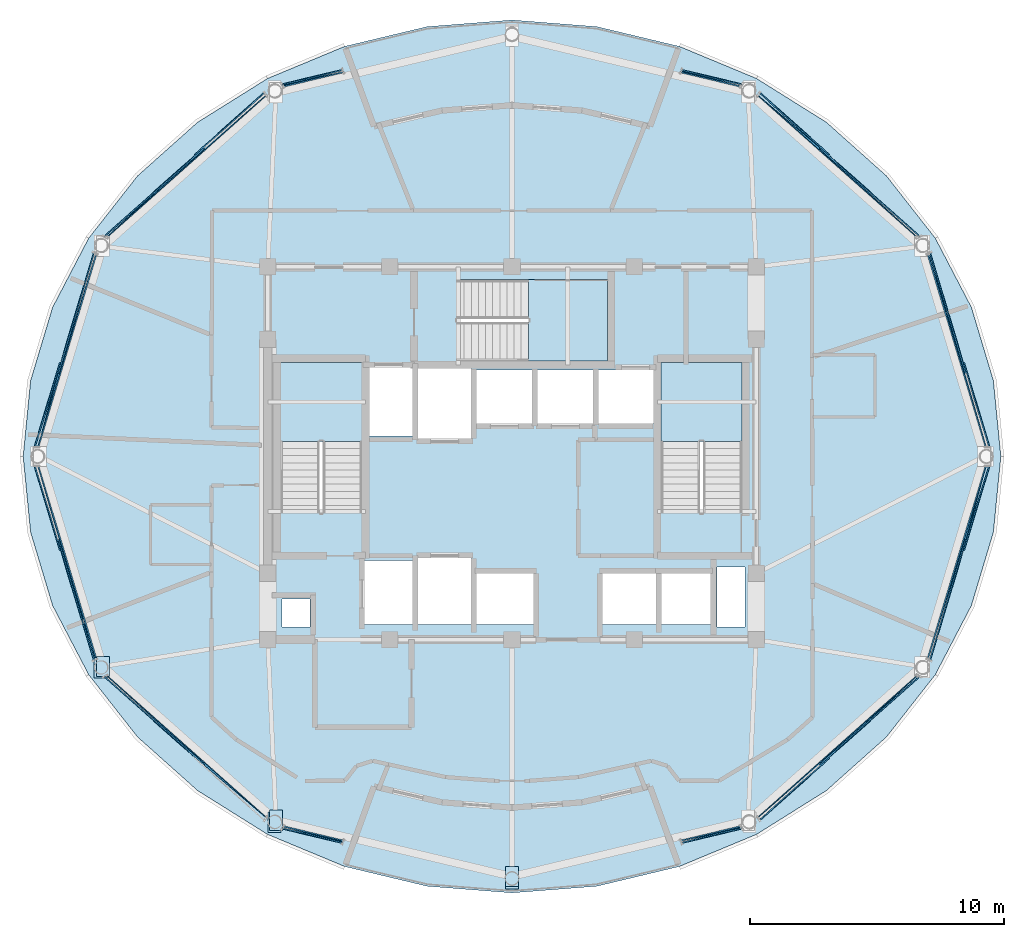
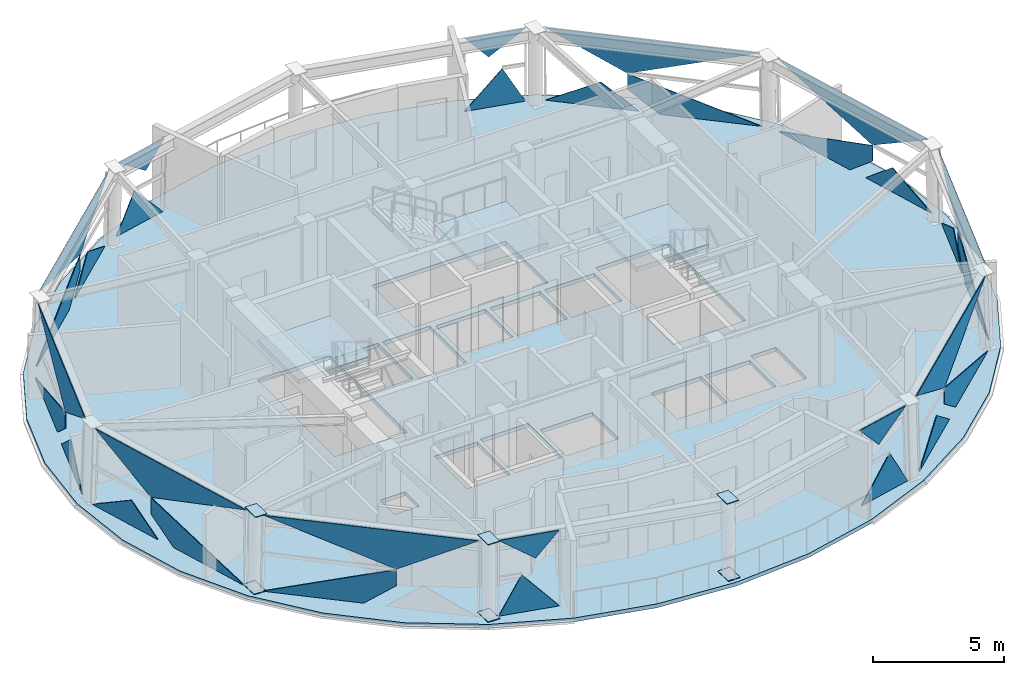
# One storey, part 5 of 13: 37 plates, 4 slabs, 15 elements without a shape of their own.
"""IFC4 building model written with IfcOpenShell, lengths in metres."""

from ifc_helpers import new_model, si_unit, direction, frame, origin, place, context, subcontext, project, spatial, polyline, outline, extrude, material, layer, layer_set, type_object, element, aggregate, save


model = new_model("IFC4")

# Units and contexts
model_context = context("Model", 3, precision=1e-05, world=origin(), true_north=direction((0.0, 1.0)))
body_context = subcontext(model_context, "Body", "Model", "MODEL_VIEW")
ifc_project = project(units=[si_unit("LENGTHUNIT", "METRE"), si_unit("AREAUNIT", "SQUARE_METRE"), si_unit("VOLUMEUNIT", "CUBIC_METRE"), si_unit("PLANEANGLEUNIT", "RADIAN"), si_unit("MASSUNIT", "GRAM", prefix="KILO")], contexts=[model_context])

# Site, building, storey
site_placement = place(None, origin())
site = spatial("IfcSite", under=ifc_project, at=site_placement, CompositionType="ELEMENT")
building_placement = place(site_placement, origin())
building = spatial("IfcBuilding", under=site, at=building_placement, Name="Vantalir Tower", CompositionType="ELEMENT")
storey_placement = place(building_placement, frame((0.0, 0.0, 286.35009765625)))
storey = spatial("IfcBuildingStorey", under=building, at=storey_placement, Name="L72", CompositionType="ELEMENT", Elevation=286.35009765625)

# Curtain wall, plates
ifc_material_1 = material(Name="Champagne-silver PVDF aluminium and double-silver Low-E glass", Category="aluminium")
ifc_layer_1 = layer(ifc_material_1, 0.219970703125)
ifc_layer_set_1 = layer_set([ifc_layer_1], Name="Champagne-silver PVDF aluminium and double-silver Low-E glass")
curtain_wall_type = type_object("IfcCurtainWallType", Name="CW-DIAMOND-Z4", PredefinedType="USERDEFINED", material=ifc_layer_set_1)
curtain_wall_1_placement = place(storey_placement, origin())
curtain_wall_1 = element("IfcCurtainWall", 1, at=curtain_wall_1_placement, inside=storey, type_object=curtain_wall_type, Name="L72 Quilted Pyramid-Diamond Curtain Wall S01", ObjectType="UNITISED CURTAIN WALL", PredefinedType="USERDEFINED")
ifc_material_2 = material(Name="Double-silver Low-E acoustic glass IGU", Category="glass")
ifc_layer_2 = layer(ifc_material_2, 0.031982421875)
ifc_layer_set_2 = layer_set([ifc_layer_2], Name="Double-silver Low-E acoustic glass IGU")
plate_type_1 = type_object("IfcPlateType", Name="CWP-IGU-32", PredefinedType="CURTAIN_PANEL", material=ifc_layer_set_2)
plate_1_placement = place(storey_placement, frame((49.017333984375, 29.447021484375, 0.047119140625), z_axis=(0.957506813066, 0.288011661263, 0.015165286292), x_axis=(-0.288043831825, 0.957617223443, -6.5672592e-05)))
plate_1 = element("IfcPlate", 2, at=plate_1_placement, type_object=plate_type_1, Name="CW-L72-S01 Pyramid Diamond Facet 1L", PredefinedType="CURTAIN_PANEL", context=body_context, shape_type="SweptSolid", body=[
    extrude(outline(polyline([(0.0, 0.0), (3.7209316073083345, 3.2526065174565133e-18), (-1.2075730373569022, 1.724728417289072), (-1.2075795089867192, 0.9870945369741257), (0.0, 0.0)])), origin(), (0.0, 0.0, -1.0), 0.031982421875),
])
plate_2_placement = place(storey_placement, frame((50.27294921875, 25.39794921875, 0.0478515625), z_axis=(0.957496894251, 0.28803905465, 0.015270903563), x_axis=(-0.288071605716, 0.957608868447, -7.1076143e-05)))
plate_2 = element("IfcPlate", 3, at=plate_2_placement, type_object=plate_type_1, Name="CW-L72-S01 Pyramid Diamond Facet 1L Infill Light", PredefinedType="CURTAIN_PANEL", context=body_context, shape_type="SweptSolid", body=[
    extrude(outline(polyline([(0.0, 0.0), (3.434916643952595, 1.9786689647860456e-18), (2.0254212264924867, 1.1523779468026756), (0.0, 0.0)])), origin(), (0.0, 0.0, -1.0), 0.031982421875),
])
plate_3_placement = place(storey_placement, frame((47.854736328125, 32.96337890625, 3.52294921875), z_axis=(0.956746591079, 0.287792057789, 0.042563974591), x_axis=(0.288055625329, -0.957613676232, -6.1721797e-05)))
plate_3 = element("IfcPlate", 4, at=plate_3_placement, type_object=plate_type_1, Name="CW-L72-S01 Pyramid Diamond Facet 2U", PredefinedType="CURTAIN_PANEL", context=body_context, shape_type="SweptSolid", body=[
    extrude(outline(polyline([(0.0, 0.0), (7.911001880797422, 4.174178364069192e-18), (4.909793483682826, 1.7261147805821255), (0.0, 0.0)])), origin(), (0.0, 0.0, -1.0), 0.031982421875),
])
aggregate(curtain_wall_1, [plate_1, plate_2, plate_3])

curtain_wall_2_placement = place(storey_placement, origin())
curtain_wall_2 = element("IfcCurtainWall", 5, at=curtain_wall_2_placement, inside=storey, type_object=curtain_wall_type, Name="L72 Quilted Pyramid-Diamond Curtain Wall S02", ObjectType="UNITISED CURTAIN WALL", PredefinedType="USERDEFINED")
plate_4_placement = place(storey_placement, frame((47.526611328125, 33.667236328125, 0.046875), z_axis=(0.665128537201, 0.746602814714, 0.013721008055), x_axis=(-0.746673105805, 0.665191155284, 1.29257e-07)))
plate_4 = element("IfcPlate", 6, at=plate_4_placement, type_object=plate_type_1, Name="CW-L72-S02 Pyramid Diamond Facet 1L", PredefinedType="CURTAIN_PANEL", context=body_context, shape_type="SweptSolid", body=[
    extrude(outline(polyline([(0.0, 0.0), (3.9514141751553726, -3.469446951953614e-18), (5.225061549370908, 0.9847111634579583), (5.225131450051028, 1.7252599032014113), (0.0, 0.0)])), origin(), (0.0, 0.0, -1.0), 0.031982421875),
])
plate_5_placement = place(storey_placement, frame((43.978515625, 36.876708984375, 0.04736328125), z_axis=(0.665081109938, 0.746642479364, 0.013860923926), x_axis=(-0.746714829443, 0.665144314425, 6.6915927e-05)))
plate_5 = element("IfcPlate", 7, at=plate_5_placement, type_object=plate_type_1, Name="CW-L72-S02 Pyramid Diamond Facet 1L Infill Light", PredefinedType="CURTAIN_PANEL", context=body_context, shape_type="SweptSolid", body=[
    extrude(outline(polyline([(0.0, 0.0), (3.6484680991349756, 2.1141942363467336e-18), (1.4972928284039506, 1.1572375449479382), (0.0, 0.0)])), origin(), (0.0, 0.0, -1.0), 0.031982421875),
])
plate_6_placement = place(storey_placement, frame((41.17724609375, 39.19482421875, 3.522705078125), z_axis=(0.664548073734, 0.746101309793, 0.041336342615), x_axis=(0.746738755083, -0.6651174564, 2.9129657e-05)))
plate_6 = element("IfcPlate", 8, at=plate_6_placement, type_object=plate_type_1, Name="CW-L72-S02 Pyramid Diamond Facet 2U", PredefinedType="CURTAIN_PANEL", context=body_context, shape_type="SweptSolid", body=[
    extrude(outline(polyline([(0.0, 0.0), (8.381170629314692, -2.0599841277224584e-18), (3.192406341226732, 1.7264221035354848), (0.0, 0.0)])), origin(), (0.0, 0.0, -1.0), 0.031982421875),
])
aggregate(curtain_wall_2, [plate_4, plate_5, plate_6])

curtain_wall_3_placement = place(storey_placement, origin())
curtain_wall_3 = element("IfcCurtainWall", 9, at=curtain_wall_3_placement, inside=storey, type_object=curtain_wall_type, Name="L72 Quilted Pyramid-Diamond Curtain Wall S03", ObjectType="UNITISED CURTAIN WALL", PredefinedType="USERDEFINED")
plate_7_placement = place(storey_placement, frame((40.53564453125, 39.6396484375, 0.0517578125), z_axis=(0.232045975765, 0.972616062509, 0.013140018265), x_axis=(-0.972699073436, 0.232069862814, -0.000302174301)))
plate_7 = element("IfcPlate", 10, at=plate_7_placement, type_object=plate_type_1, Name="CW-L72-S03 Pyramid Diamond Facet 1L", PredefinedType="CURTAIN_PANEL", context=body_context, shape_type="SweptSolid", body=[
    extrude(outline(polyline([(0.0, 0.0), (2.423839068023054, -3.2526065174565133e-19), (0.9262804974369461, 1.7186900763725796), (0.0, 0.0)])), origin(), (0.0, 0.0, -1.0), 0.031982421875),
])
plate_8_placement = place(storey_placement, frame((40.482666015625, 39.557861328125, 3.51806640625), z_axis=(0.232063263417, 0.971894823141, 0.039586544723), x_axis=(-0.972660011136, 0.232233523313, 0.000305591492)))
plate_8 = element("IfcPlate", 11, at=plate_8_placement, type_object=plate_type_1, Name="CW-L72-S03 Pyramid Diamond Facet 2U", PredefinedType="CURTAIN_PANEL", context=body_context, shape_type="SweptSolid", body=[
    extrude(outline(polyline([(0.0, 0.0), (2.40559686641698, -5.421010862427522e-19), (1.452436408853657, -1.08479031439366), (0.00816103323792154, -0.015881375937154826), (0.0, 0.0)])), origin(), (0.0, 0.0, -1.0), 0.031982421875),
])
aggregate(curtain_wall_3, [plate_7, plate_8])

curtain_wall_4_placement = place(storey_placement, origin())
curtain_wall_4 = element("IfcCurtainWall", 12, at=curtain_wall_4_placement, inside=storey, type_object=curtain_wall_type, Name="L72 Quilted Pyramid-Diamond Curtain Wall S04", ObjectType="UNITISED CURTAIN WALL", PredefinedType="USERDEFINED")
plate_9_placement = place(storey_placement, frame((24.82275390625, 40.2021484375, 0.051025390625), z_axis=(-0.232068890604, 0.972611314133, 0.013086696852), x_axis=(-0.972693647954, -0.232092601997, 0.000302203909)))
plate_9 = element("IfcPlate", 13, at=plate_9_placement, type_object=plate_type_1, Name="CW-L72-S04 Pyramid Diamond Facet 1L", PredefinedType="CURTAIN_PANEL", context=body_context, shape_type="SweptSolid", body=[
    extrude(outline(polyline([(0.0, 0.0), (2.423601593325586, 5.421010862427522e-19), (1.4977966230432982, 1.7186887581438437), (0.0, 0.0)])), origin(), (0.0, 0.0, -1.0), 0.031982421875),
])
plate_10_placement = place(storey_placement, frame((24.857177734375, 40.116455078125, 3.518798828125), z_axis=(-0.232063263417, 0.971894823141, 0.039586544723), x_axis=(-0.972660011136, -0.232233523313, -0.000305591492)))
plate_10 = element("IfcPlate", 14, at=plate_10_placement, type_object=plate_type_1, Name="CW-L72-S04 Pyramid Diamond Facet 2U", PredefinedType="CURTAIN_PANEL", context=body_context, shape_type="SweptSolid", body=[
    extrude(outline(polyline([(0.0, 0.0), (2.40559686641698, 5.421010862427522e-19), (2.3974358331790584, -0.015881375937154826), (0.9531604575633227, -1.08479031439366), (0.0, 0.0)])), origin(), (0.0, 0.0, -1.0), 0.031982421875),
])
aggregate(curtain_wall_4, [plate_9, plate_10])

curtain_wall_5_placement = place(storey_placement, origin())
curtain_wall_5 = element("IfcCurtainWall", 15, at=curtain_wall_5_placement, inside=storey, type_object=curtain_wall_type, Name="L72 Quilted Pyramid-Diamond Curtain Wall S05", ObjectType="UNITISED CURTAIN WALL", PredefinedType="USERDEFINED")
plate_11_placement = place(storey_placement, frame((18.423828125, 36.29541015625, 0.046875), z_axis=(-0.665087736577, 0.746638376522, 0.013763624472), x_axis=(-0.746709107353, -0.665150741559, -1.9707e-08)))
plate_11 = element("IfcPlate", 16, at=plate_11_placement, type_object=plate_type_1, Name="CW-L72-S05 Pyramid Diamond Facet 1L", PredefinedType="CURTAIN_PANEL", context=body_context, shape_type="SweptSolid", body=[
    extrude(outline(polyline([(0.0, 0.0), (3.9512517810645473, 3.469446951953614e-18), (-1.274245359653783, 1.725261053326516), (-1.27417498812312, 0.9847123127137346), (0.0, 0.0)])), origin(), (0.0, 0.0, -1.0), 0.031982421875),
])
plate_12_placement = place(storey_placement, frame((21.746826171875, 39.303466796875, 0.047607421875), z_axis=(-0.665057863469, 0.746666889163, 0.013659973122), x_axis=(-0.746737167224, -0.665119236386, -6.6899943e-05)))
plate_12 = element("IfcPlate", 17, at=plate_12_placement, type_object=plate_type_1, Name="CW-L72-S05 Pyramid Diamond Facet 1L Infill Light", PredefinedType="CURTAIN_PANEL", context=body_context, shape_type="SweptSolid", body=[
    extrude(outline(polyline([(0.0, 0.0), (3.6493397889657415, 0.0), (2.151884058575181, 1.1572343574181678), (0.0, 0.0)])), origin(), (0.0, 0.0, -1.0), 0.031982421875),
])
plate_13_placement = place(storey_placement, frame((15.564208984375, 33.620361328125, 3.52294921875), z_axis=(-0.664550656598, 0.746104205507, 0.041242445847), x_axis=(0.746738755083, 0.6651174564, -2.9129657e-05)))
plate_13 = element("IfcPlate", 18, at=plate_13_placement, type_object=plate_type_1, Name="CW-L72-S05 Pyramid Diamond Facet 2U", PredefinedType="CURTAIN_PANEL", context=body_context, shape_type="SweptSolid", body=[
    extrude(outline(polyline([(0.0, 0.0), (8.381170629314692, -2.4123498337802474e-18), (5.188946597354337, 1.7264153935670654), (0.0, 0.0)])), origin(), (0.0, 0.0, -1.0), 0.031982421875),
])
aggregate(curtain_wall_5, [plate_11, plate_12, plate_13])

curtain_wall_6_placement = place(storey_placement, origin())
curtain_wall_6 = element("IfcCurtainWall", 19, at=curtain_wall_6_placement, inside=storey, type_object=curtain_wall_type, Name="L72 Quilted Pyramid-Diamond Curtain Wall S06", ObjectType="UNITISED CURTAIN WALL", PredefinedType="USERDEFINED")
plate_14_placement = place(storey_placement, frame((15.054443359375, 33.01025390625, 0.046875), z_axis=(-0.957506813066, 0.288011661263, 0.015165286292), x_axis=(-0.288043831825, -0.957617223443, 6.5672592e-05)))
plate_14 = element("IfcPlate", 20, at=plate_14_placement, type_object=plate_type_1, Name="CW-L72-S06 Pyramid Diamond Facet 1L", PredefinedType="CURTAIN_PANEL", context=body_context, shape_type="SweptSolid", body=[
    extrude(outline(polyline([(0.0, 0.0), (3.7209316073083345, -3.2526065174565133e-18), (4.928511116295054, 0.9870945369741257), (4.928504644665237, 1.724728417289072), (0.0, 0.0)])), origin(), (0.0, 0.0, -1.0), 0.031982421875),
])
plate_15_placement = place(storey_placement, frame((13.716552734375, 28.687255859375, 0.047607421875), z_axis=(-0.957496894251, 0.28803905465, 0.015270903563), x_axis=(-0.288071605716, -0.957608868447, 7.1076143e-05)))
plate_15 = element("IfcPlate", 21, at=plate_15_placement, type_object=plate_type_1, Name="CW-L72-S06 Pyramid Diamond Facet 1L Infill Light", PredefinedType="CURTAIN_PANEL", context=body_context, shape_type="SweptSolid", body=[
    extrude(outline(polyline([(0.0, 0.0), (3.434916643952595, -1.9786689647860456e-18), (1.4094954174601082, 1.1523779468026756), (0.0, 0.0)])), origin(), (0.0, 0.0, -1.0), 0.031982421875),
])
plate_16_placement = place(storey_placement, frame((12.866455078125, 25.3876953125, 3.5224609375), z_axis=(-0.956746591079, 0.287792057789, 0.042563974591), x_axis=(0.288055625329, 0.957613676232, 6.1721797e-05)))
plate_16 = element("IfcPlate", 22, at=plate_16_placement, type_object=plate_type_1, Name="CW-L72-S06 Pyramid Diamond Facet 2U", PredefinedType="CURTAIN_PANEL", context=body_context, shape_type="SweptSolid", body=[
    extrude(outline(polyline([(0.0, 0.0), (7.911001880797422, -4.174178364069192e-18), (3.0012083971145964, 1.7261147805821255), (0.0, 0.0)])), origin(), (0.0, 0.0, -1.0), 0.031982421875),
])
aggregate(curtain_wall_6, [plate_14, plate_15, plate_16])

curtain_wall_7_placement = place(storey_placement, origin())
curtain_wall_7 = element("IfcCurtainWall", 23, at=curtain_wall_7_placement, inside=storey, type_object=curtain_wall_type, Name="L72 Quilted Pyramid-Diamond Curtain Wall S07", ObjectType="UNITISED CURTAIN WALL", PredefinedType="USERDEFINED")
plate_17_placement = place(storey_placement, frame((13.982666015625, 20.552978515625, 0.047119140625), z_axis=(-0.957506813066, -0.288011661263, 0.015165286292), x_axis=(0.288043831825, -0.957617223443, -6.5672592e-05)))
plate_17 = element("IfcPlate", 24, at=plate_17_placement, type_object=plate_type_1, Name="CW-L72-S07 Pyramid Diamond Facet 1L", PredefinedType="CURTAIN_PANEL", context=body_context, shape_type="SweptSolid", body=[
    extrude(outline(polyline([(0.0, 0.0), (3.7209316073083345, 3.2526065174565133e-18), (-1.2075730373569022, 1.724728417289072), (-1.2075795089867192, 0.9870945369741257), (0.0, 0.0)])), origin(), (0.0, 0.0, -1.0), 0.031982421875),
])
plate_18_placement = place(storey_placement, frame((12.72705078125, 24.60205078125, 0.0478515625), z_axis=(-0.957496894251, -0.28803905465, 0.015270903563), x_axis=(0.288071605716, -0.957608868447, -7.1076143e-05)))
plate_18 = element("IfcPlate", 25, at=plate_18_placement, type_object=plate_type_1, Name="CW-L72-S07 Pyramid Diamond Facet 1L Infill Light", PredefinedType="CURTAIN_PANEL", context=body_context, shape_type="SweptSolid", body=[
    extrude(outline(polyline([(0.0, 0.0), (3.434916643952595, 1.9786689647860456e-18), (2.0254212264924867, 1.1523779468026756), (0.0, 0.0)])), origin(), (0.0, 0.0, -1.0), 0.031982421875),
])
plate_19_placement = place(storey_placement, frame((15.145263671875, 17.03662109375, 3.52294921875), z_axis=(-0.956746591079, -0.287792057789, 0.042563974591), x_axis=(-0.288055625329, 0.957613676232, -6.1721797e-05)))
plate_19 = element("IfcPlate", 26, at=plate_19_placement, type_object=plate_type_1, Name="CW-L72-S07 Pyramid Diamond Facet 2U", PredefinedType="CURTAIN_PANEL", context=body_context, shape_type="SweptSolid", body=[
    extrude(outline(polyline([(0.0, 0.0), (7.911001880797422, 4.174178364069192e-18), (4.909793483682826, 1.7261147805821255), (0.0, 0.0)])), origin(), (0.0, 0.0, -1.0), 0.031982421875),
])
aggregate(curtain_wall_7, [plate_17, plate_18, plate_19])

curtain_wall_8_placement = place(storey_placement, origin())
curtain_wall_8 = element("IfcCurtainWall", 27, at=curtain_wall_8_placement, inside=storey, type_object=curtain_wall_type, Name="L72 Quilted Pyramid-Diamond Curtain Wall S08", ObjectType="UNITISED CURTAIN WALL", PredefinedType="USERDEFINED")
plate_20_placement = place(storey_placement, frame((15.473388671875, 16.332763671875, 0.046875), z_axis=(-0.665128537201, -0.746602814714, 0.013721008055), x_axis=(0.746673105805, -0.665191155284, 1.29257e-07)))
plate_20 = element("IfcPlate", 28, at=plate_20_placement, type_object=plate_type_1, Name="CW-L72-S08 Pyramid Diamond Facet 1L", PredefinedType="CURTAIN_PANEL", context=body_context, shape_type="SweptSolid", body=[
    extrude(outline(polyline([(0.0, 0.0), (3.9514141751553726, -3.469446951953614e-18), (5.225061549370908, 0.9847111634579583), (5.225131450051028, 1.7252599032014113), (0.0, 0.0)])), origin(), (0.0, 0.0, -1.0), 0.031982421875),
])
plate_21_placement = place(storey_placement, frame((21.82275390625, 10.80517578125, 3.522705078125), z_axis=(-0.664548073734, -0.746101309793, 0.041336342615), x_axis=(-0.746738755083, 0.6651174564, 2.9129657e-05)))
plate_21 = element("IfcPlate", 29, at=plate_21_placement, type_object=plate_type_1, Name="CW-L72-S08 Pyramid Diamond Facet 2U", PredefinedType="CURTAIN_PANEL", context=body_context, shape_type="SweptSolid", body=[
    extrude(outline(polyline([(0.0, 0.0), (8.381170629314692, -2.0599841277224584e-18), (3.192406341226732, 1.7264221035354848), (0.0, 0.0)])), origin(), (0.0, 0.0, -1.0), 0.031982421875),
])
aggregate(curtain_wall_8, [plate_20, plate_21])

curtain_wall_9_placement = place(storey_placement, origin())
curtain_wall_9 = element("IfcCurtainWall", 30, at=curtain_wall_9_placement, inside=storey, type_object=curtain_wall_type, Name="L72 Quilted Pyramid-Diamond Curtain Wall S09", ObjectType="UNITISED CURTAIN WALL", PredefinedType="USERDEFINED")
plate_22_placement = place(storey_placement, frame((22.46435546875, 10.3603515625, 0.0517578125), z_axis=(-0.232045975765, -0.972616062509, 0.013140018265), x_axis=(0.972699073436, -0.232069862814, -0.000302174301)))
plate_22 = element("IfcPlate", 31, at=plate_22_placement, type_object=plate_type_1, Name="CW-L72-S09 Pyramid Diamond Facet 1L", PredefinedType="CURTAIN_PANEL", context=body_context, shape_type="SweptSolid", body=[
    extrude(outline(polyline([(0.0, 0.0), (2.423839068023054, -3.2526065174565133e-19), (0.9262804974369461, 1.7186900763725796), (0.0, 0.0)])), origin(), (0.0, 0.0, -1.0), 0.031982421875),
])
plate_23_placement = place(storey_placement, frame((22.517333984375, 10.442138671875, 3.51806640625), z_axis=(-0.232063263417, -0.971894823141, 0.039586544723), x_axis=(0.972660011136, -0.232233523313, 0.000305591492)))
plate_23 = element("IfcPlate", 32, at=plate_23_placement, type_object=plate_type_1, Name="CW-L72-S09 Pyramid Diamond Facet 2U", PredefinedType="CURTAIN_PANEL", context=body_context, shape_type="SweptSolid", body=[
    extrude(outline(polyline([(0.0, 0.0), (2.40559686641698, -5.421010862427522e-19), (1.452436408853657, -1.08479031439366), (0.00816103323792154, -0.015881375937154826), (0.0, 0.0)])), origin(), (0.0, 0.0, -1.0), 0.031982421875),
])
aggregate(curtain_wall_9, [plate_22, plate_23])

curtain_wall_10_placement = place(storey_placement, origin())
curtain_wall_10 = element("IfcCurtainWall", 33, at=curtain_wall_10_placement, inside=storey, type_object=curtain_wall_type, Name="L72 Quilted Pyramid-Diamond Curtain Wall S10", ObjectType="UNITISED CURTAIN WALL", PredefinedType="USERDEFINED")
plate_24_placement = place(storey_placement, frame((38.177978515625, 9.7978515625, 0.051025390625), z_axis=(0.232045975765, -0.972616062509, 0.013140018265), x_axis=(0.972699073436, 0.232069862814, 0.000302174301)))
plate_24 = element("IfcPlate", 34, at=plate_24_placement, type_object=plate_type_1, Name="CW-L72-S10 Pyramid Diamond Facet 1L", PredefinedType="CURTAIN_PANEL", context=body_context, shape_type="SweptSolid", body=[
    extrude(outline(polyline([(0.0, 0.0), (2.423839068023054, 3.2526065174565133e-19), (1.4975585705861076, 1.7186900763725794), (0.0, 0.0)])), origin(), (0.0, 0.0, -1.0), 0.031982421875),
])
plate_25_placement = place(storey_placement, frame((38.142822265625, 9.883544921875, 3.518798828125), z_axis=(0.232063263417, -0.971894823141, 0.039586544723), x_axis=(0.972660011136, 0.232233523313, -0.000305591492)))
plate_25 = element("IfcPlate", 35, at=plate_25_placement, type_object=plate_type_1, Name="CW-L72-S10 Pyramid Diamond Facet 2U", PredefinedType="CURTAIN_PANEL", context=body_context, shape_type="SweptSolid", body=[
    extrude(outline(polyline([(0.0, 0.0), (2.40559686641698, 5.421010862427522e-19), (2.3974358331790584, -0.015881375937154826), (0.9531604575633227, -1.08479031439366), (0.0, 0.0)])), origin(), (0.0, 0.0, -1.0), 0.031982421875),
])
aggregate(curtain_wall_10, [plate_24, plate_25])

curtain_wall_11_placement = place(storey_placement, origin())
curtain_wall_11 = element("IfcCurtainWall", 36, at=curtain_wall_11_placement, inside=storey, type_object=curtain_wall_type, Name="L72 Quilted Pyramid-Diamond Curtain Wall S11", ObjectType="UNITISED CURTAIN WALL", PredefinedType="USERDEFINED")
plate_26_placement = place(storey_placement, frame((44.576171875, 13.704345703125, 0.046875), z_axis=(0.665128537201, -0.746602814714, 0.013721008055), x_axis=(0.746673105805, 0.665191155284, -1.29257e-07)))
plate_26 = element("IfcPlate", 37, at=plate_26_placement, type_object=plate_type_1, Name="CW-L72-S11 Pyramid Diamond Facet 1L", PredefinedType="CURTAIN_PANEL", context=body_context, shape_type="SweptSolid", body=[
    extrude(outline(polyline([(0.0, 0.0), (3.9514141751553726, 3.469446951953614e-18), (-1.2737172748956551, 1.7252599032014113), (-1.2736473742155365, 0.9847111634579583), (0.0, 0.0)])), origin(), (0.0, 0.0, -1.0), 0.031982421875),
])
plate_27_placement = place(storey_placement, frame((41.254150390625, 10.696533203125, 0.047607421875), z_axis=(0.665081109938, -0.746642479364, 0.013860923926), x_axis=(0.746714829443, 0.665144314425, -6.6915927e-05)))
plate_27 = element("IfcPlate", 38, at=plate_27_placement, type_object=plate_type_1, Name="CW-L72-S11 Pyramid Diamond Facet 1L Infill Light", PredefinedType="CURTAIN_PANEL", context=body_context, shape_type="SweptSolid", body=[
    extrude(outline(polyline([(0.0, 0.0), (3.6484680991349756, -2.1141942363467336e-18), (2.1511752707310245, 1.157237544947938), (0.0, 0.0)])), origin(), (0.0, 0.0, -1.0), 0.031982421875),
])
plate_28_placement = place(storey_placement, frame((47.435791015625, 16.379638671875, 3.52294921875), z_axis=(0.664548073734, -0.746101309793, 0.041336342615), x_axis=(-0.746738755083, -0.6651174564, -2.9129657e-05)))
plate_28 = element("IfcPlate", 39, at=plate_28_placement, type_object=plate_type_1, Name="CW-L72-S11 Pyramid Diamond Facet 2U", PredefinedType="CURTAIN_PANEL", context=body_context, shape_type="SweptSolid", body=[
    extrude(outline(polyline([(0.0, 0.0), (8.381170629314692, 2.0599841277224584e-18), (5.1887642880879605, 1.7264221035354848), (0.0, 0.0)])), origin(), (0.0, 0.0, -1.0), 0.031982421875),
])
aggregate(curtain_wall_11, [plate_26, plate_27, plate_28])

curtain_wall_12_placement = place(storey_placement, origin())
curtain_wall_12 = element("IfcCurtainWall", 40, at=curtain_wall_12_placement, inside=storey, type_object=curtain_wall_type, Name="L72 Quilted Pyramid-Diamond Curtain Wall S12", ObjectType="UNITISED CURTAIN WALL", PredefinedType="USERDEFINED")
plate_29_placement = place(storey_placement, frame((47.945556640625, 16.98974609375, 0.046875), z_axis=(0.957506813066, -0.288011661263, 0.015165286292), x_axis=(0.288043831825, 0.957617223443, 6.5672592e-05)))
plate_29 = element("IfcPlate", 41, at=plate_29_placement, type_object=plate_type_1, Name="CW-L72-S12 Pyramid Diamond Facet 1L", PredefinedType="CURTAIN_PANEL", context=body_context, shape_type="SweptSolid", body=[
    extrude(outline(polyline([(0.0, 0.0), (3.7209316073083345, -3.2526065174565133e-18), (4.928511116295054, 0.9870945369741257), (4.928504644665237, 1.724728417289072), (0.0, 0.0)])), origin(), (0.0, 0.0, -1.0), 0.031982421875),
])
plate_30_placement = place(storey_placement, frame((49.283447265625, 21.312744140625, 0.047607421875), z_axis=(0.957496894251, -0.28803905465, 0.015270903563), x_axis=(0.288071605716, 0.957608868447, 7.1076143e-05)))
plate_30 = element("IfcPlate", 42, at=plate_30_placement, type_object=plate_type_1, Name="CW-L72-S12 Pyramid Diamond Facet 1L Infill Light", PredefinedType="CURTAIN_PANEL", context=body_context, shape_type="SweptSolid", body=[
    extrude(outline(polyline([(0.0, 0.0), (3.434916643952595, -1.9786689647860456e-18), (1.4094954174601082, 1.1523779468026756), (0.0, 0.0)])), origin(), (0.0, 0.0, -1.0), 0.031982421875),
])
plate_31_placement = place(storey_placement, frame((50.133544921875, 24.6123046875, 3.5224609375), z_axis=(0.956746591079, -0.287792057789, 0.042563974591), x_axis=(-0.288055625329, -0.957613676232, 6.1721797e-05)))
plate_31 = element("IfcPlate", 43, at=plate_31_placement, type_object=plate_type_1, Name="CW-L72-S12 Pyramid Diamond Facet 2U", PredefinedType="CURTAIN_PANEL", context=body_context, shape_type="SweptSolid", body=[
    extrude(outline(polyline([(0.0, 0.0), (7.911001880797422, -4.174178364069192e-18), (3.0012083971145964, 1.7261147805821255), (0.0, 0.0)])), origin(), (0.0, 0.0, -1.0), 0.031982421875),
])
aggregate(curtain_wall_12, [plate_29, plate_30, plate_31])

# Plates
ifc_material_3 = material(Name="Steel S460", Category="steel")
ifc_layer_3 = layer(ifc_material_3, 0.031982421875)
ifc_layer_set_3 = layer_set([ifc_layer_3], Name="Steel S460")
plate_type_2 = type_object("IfcPlateType", Name="PLT-KN-Z3", PredefinedType="USERDEFINED", material=ifc_layer_set_3)
for number, where, z_axis, x_axis, name in (
    (44, (15.167724609375, 17.144287109375, 3.59521484375), (0.02535676287, 0.013118410706, 0.999592387865), (-5.0765e-08, -0.999913894566, 0.013122631371), "L72 Ring Column Top Cap RC08"),
    (45, (15.077392578125, 17.09765625, 0.05419921875), (0.02535676287, 0.013118410706, 0.999592387865), (-5.0765e-08, -0.999913894566, 0.013122631371), "L72 Ring Column Base Cap RC08"),
):
    element("IfcPlate", number, at=place(storey_placement, frame(where, z_axis=z_axis, x_axis=x_axis)), inside=storey, type_object=plate_type_2, Name=name, ObjectType="FLANGE_PLATE", PredefinedType="USERDEFINED", context=body_context, shape_type="SweptSolid", body=[
        extrude(outline(polyline([(0.0, 0.0), (0.7998735819694247, -5.421010862427522e-20), (0.7999446717453117, 0.5199426106714667), (-0.00017302982727854179, 0.5199425294219071), (0.0, 0.0)])), origin(), (0.0, 0.0, -1.0), 0.031982421875),
    ])
plate_32_placement = place(storey_placement, frame((21.96044921875, 11.1005859375, 3.588623046875), z_axis=(0.014800911728, 0.022732779207, 0.999632009172), x_axis=(-2.257569e-06, -0.99974151959, 0.022735303026)))
element("IfcPlate", 46, at=plate_32_placement, inside=storey, type_object=plate_type_2, Name="L72 Ring Column Top Cap RC09", ObjectType="FLANGE_PLATE", PredefinedType="USERDEFINED", context=body_context, shape_type="SweptSolid", body=[
    extrude(outline(polyline([(0.0, 0.0), (0.8000142494878688, 5.421010862427522e-20), (0.8000795340238042, 0.5198341392290423), (7.083514702574726e-05, 0.5198305266717519), (0.0, 0.0)])), origin(), (0.0, 0.0, -1.0), 0.031982421875),
])
plate_33_placement = place(storey_placement, frame((21.90771484375, 11.020263671875, 0.047607421875), z_axis=(0.014793964464, 0.022732781545, 0.999632111959), x_axis=(-2.256509e-06, -0.99974151959, 0.022735302995)))
element("IfcPlate", 47, at=plate_33_placement, inside=storey, type_object=plate_type_2, Name="L72 Ring Column Base Cap RC09", ObjectType="FLANGE_PLATE", PredefinedType="USERDEFINED", context=body_context, shape_type="SweptSolid", body=[
    extrude(outline(polyline([(0.0, 0.0), (0.8000142494878669, 0.0), (0.8000795340238062, 0.52007825227565), (7.083514702191981e-05, 0.5200746414140246), (0.0, 0.0)])), origin(), (0.0, 0.0, -1.0), 0.031982421875),
])
for number, where, z_axis, x_axis, name in (
    (48, (31.239990234375, 8.888427734375, 3.583251953125), (0.0, 0.026555517126, 0.999647340071), (0.0, -0.999647340071, 0.026555517126), "L72 Ring Column Top Cap RC10"),
    (49, (31.239990234375, 8.795166015625, 0.042236328125), (0.0, 0.026555517126, 0.999647340071), (0.0, -0.999647340071, 0.026555517126), "L72 Ring Column Base Cap RC10"),
):
    element("IfcPlate", number, at=place(storey_placement, frame(where, z_axis=z_axis, x_axis=x_axis)), inside=storey, type_object=plate_type_2, Name=name, ObjectType="FLANGE_PLATE", PredefinedType="USERDEFINED", context=body_context, shape_type="SweptSolid", body=[
        extrude(outline(polyline([(0.0, 0.0), (0.7998426193166716, 0.0), (0.7998426193166716, 0.52001953125), (0.0, 0.52001953125), (0.0, 0.0)])), origin(), (0.0, 0.0, -1.0), 0.031982421875),
    ])

# Stair, slab
ifc_material_4 = material(Name="Concrete C40/50", Category="concrete")
stair_type = type_object("IfcStairType", Name="STR-CORE-1450", PredefinedType="HALF_TURN_STAIR", material=ifc_material_4)
stair_1_placement = place(storey_placement, origin())
stair_1 = element("IfcStair", 50, at=stair_1_placement, inside=storey, type_object=stair_type, Name="L72 Core Exit Stair 1", PredefinedType="HALF_TURN_STAIR")
ifc_layer_4 = layer(ifc_material_4, 0.199951171875)
ifc_layer_set_4 = layer_set([ifc_layer_4], Name="Concrete C40/50")
slab_type_1 = type_object("IfcSlabType", Name="SL-LAND-200", PredefinedType="LANDING", material=ifc_layer_set_4)
slab_1_placement = place(storey_placement, frame((0.0, 0.0, 1.6748046875)))
slab_1 = element("IfcSlab", 51, at=slab_1_placement, type_object=slab_type_1, Name="ST1 landing 1", PredefinedType="LANDING", context=body_context, shape_type="SweptSolid", body=[
    extrude(outline(polyline([(25.60009765625, 25.590087890625), (25.60009765625, 28.699951171875), (22.39990234375, 28.699951171875), (22.39990234375, 25.590087890625), (25.60009765625, 25.590087890625)])), origin(), (0.0, 0.0, 1.0), 0.2001953125),
])
aggregate(stair_1, [slab_1])

stair_2_placement = place(storey_placement, origin())
stair_2 = element("IfcStair", 52, at=stair_2_placement, inside=storey, type_object=stair_type, Name="L72 Core Exit Stair 2", PredefinedType="HALF_TURN_STAIR")
slab_2_placement = place(storey_placement, frame((0.0, 0.0, 1.6748046875)))
slab_2 = element("IfcSlab", 53, at=slab_2_placement, type_object=slab_type_1, Name="ST2 landing 1", PredefinedType="LANDING", context=body_context, shape_type="SweptSolid", body=[
    extrude(outline(polyline([(40.550048828125, 25.590087890625), (40.550048828125, 28.699951171875), (37.35009765625, 28.699951171875), (37.35009765625, 25.590087890625), (40.550048828125, 25.590087890625)])), origin(), (0.0, 0.0, 1.0), 0.2001953125),
])
aggregate(stair_2, [slab_2])

stair_3_placement = place(storey_placement, origin())
stair_3 = element("IfcStair", 54, at=stair_3_placement, inside=storey, type_object=stair_type, Name="L72 Core Exit Stair 3", PredefinedType="HALF_TURN_STAIR")
slab_3_placement = place(storey_placement, frame((0.0, 0.0, 1.6748046875)))
slab_3 = element("IfcSlab", 55, at=slab_3_placement, type_object=slab_type_1, Name="ST3 landing 1", PredefinedType="LANDING", context=body_context, shape_type="SweptSolid", body=[
    extrude(outline(polyline([(32.139892578125, 28.75), (35.25, 28.75), (35.25, 31.949951171875), (32.139892578125, 31.949951171875), (32.139892578125, 28.75)])), origin(), (0.0, 0.0, 1.0), 0.2001953125),
])
aggregate(stair_3, [slab_3])

# Slab
ifc_layer_5 = layer(ifc_material_4, 0.179931640625)
ifc_layer_set_5 = layer_set([ifc_layer_5], Name="Concrete C40/50")
slab_type_2 = type_object("IfcSlabType", Name="SL-TWR-180", PredefinedType="FLOOR", material=ifc_layer_set_5)
slab_4_placement = place(storey_placement, frame((0.0, 0.0, -0.18017578125)))
element("IfcSlab", 56, at=slab_4_placement, inside=storey, type_object=slab_type_2, Name="L72 Primary Structural Slab", PredefinedType="FLOOR", context=body_context, shape_type="SweptSolid", body=[
    extrude(outline(polyline([(16.780029296875, 13.971923828125), (19.14892578125, 11.85791015625), (21.89208984375, 10.14208984375), (24.927978515625, 8.87890625), (28.1630859375, 8.10498046875), (31.5, 7.843994140625), (34.8369140625, 8.10498046875), (38.072021484375, 8.87890625), (41.10791015625, 10.14208984375), (43.85107421875, 11.85791015625), (46.219970703125, 13.971923828125), (48.14111328125, 16.422119140625), (49.555908203125, 19.132080078125), (50.423095703125, 22.02099609375), (50.715087890625, 25.0), (50.423095703125, 27.97900390625), (49.555908203125, 30.867919921875), (48.14111328125, 33.577880859375), (46.219970703125, 36.028076171875), (43.85107421875, 38.14208984375), (41.10791015625, 39.85791015625), (38.072021484375, 41.12109375), (34.8369140625, 41.89501953125), (31.5, 42.156005859375), (28.1630859375, 41.89501953125), (24.927978515625, 41.12109375), (21.89306640625, 39.85791015625), (19.14892578125, 38.14208984375), (16.780029296875, 36.028076171875), (14.85888671875, 33.577880859375), (13.444091796875, 30.867919921875), (12.576904296875, 27.97900390625), (12.284912109375, 25.0), (12.576904296875, 22.02099609375), (13.444091796875, 19.132080078125), (14.85888671875, 16.422119140625), (16.780029296875, 13.971923828125)]), holes=[polyline([(22.39990234375, 28.699951171875), (25.60009765625, 28.699951171875), (25.60009765625, 22.7900390625), (22.39990234375, 22.7900390625), (22.39990234375, 28.699951171875)]), polyline([(40.550048828125, 28.699951171875), (40.550048828125, 22.7900390625), (37.35009765625, 22.7900390625), (37.35009765625, 28.699951171875), (40.550048828125, 28.699951171875)]), polyline([(29.340087890625, 28.75), (29.340087890625, 31.949951171875), (35.25, 31.949951171875), (35.25, 28.75), (29.340087890625, 28.75)]), polyline([(25.699951171875, 18.39990234375), (25.699951171875, 20.89990234375), (27.60009765625, 20.89990234375), (27.60009765625, 18.39990234375), (25.699951171875, 18.39990234375)]), polyline([(25.699951171875, 28.5), (27.60009765625, 28.5), (27.60009765625, 25.800048828125), (25.699951171875, 25.800048828125), (25.699951171875, 28.5)]), polyline([(29.89990234375, 21.0), (29.89990234375, 18.39990234375), (27.800048828125, 18.39990234375), (27.800048828125, 21.0), (29.89990234375, 21.0)]), polyline([(29.89990234375, 25.699951171875), (27.800048828125, 25.699951171875), (27.800048828125, 28.5), (29.89990234375, 28.5), (29.89990234375, 25.699951171875)]), polyline([(30.10009765625, 18.39990234375), (30.10009765625, 20.39990234375), (32.39990234375, 20.39990234375), (32.39990234375, 18.39990234375), (30.10009765625, 18.39990234375)]), polyline([(37.35009765625, 20.39990234375), (39.35009765625, 20.39990234375), (39.35009765625, 18.39990234375), (37.35009765625, 18.39990234375), (37.35009765625, 20.39990234375)]), polyline([(37.199951171875, 20.39990234375), (37.199951171875, 18.39990234375), (35.0, 18.39990234375), (35.0, 20.39990234375), (37.199951171875, 20.39990234375)]), polyline([(32.300048828125, 26.300048828125), (30.10009765625, 26.300048828125), (30.10009765625, 28.39990234375), (32.300048828125, 28.39990234375), (32.300048828125, 26.300048828125)]), polyline([(32.5, 26.300048828125), (32.5, 28.39990234375), (34.699951171875, 28.39990234375), (34.699951171875, 26.300048828125), (32.5, 26.300048828125)]), polyline([(34.89990234375, 28.39990234375), (37.10009765625, 28.39990234375), (37.10009765625, 26.300048828125), (34.89990234375, 26.300048828125), (34.89990234375, 28.39990234375)]), polyline([(23.550048828125, 19.39990234375), (23.550048828125, 18.300048828125), (22.449951171875, 18.300048828125), (22.449951171875, 19.39990234375), (23.550048828125, 19.39990234375)]), polyline([(40.64990234375, 18.300048828125), (39.550048828125, 18.300048828125), (39.550048828125, 20.64990234375), (40.64990234375, 20.64990234375), (40.64990234375, 18.300048828125)])]), origin(), (0.0, 0.0, 1.0), 0.18017578125),
])

save(model, "model.ifc")
